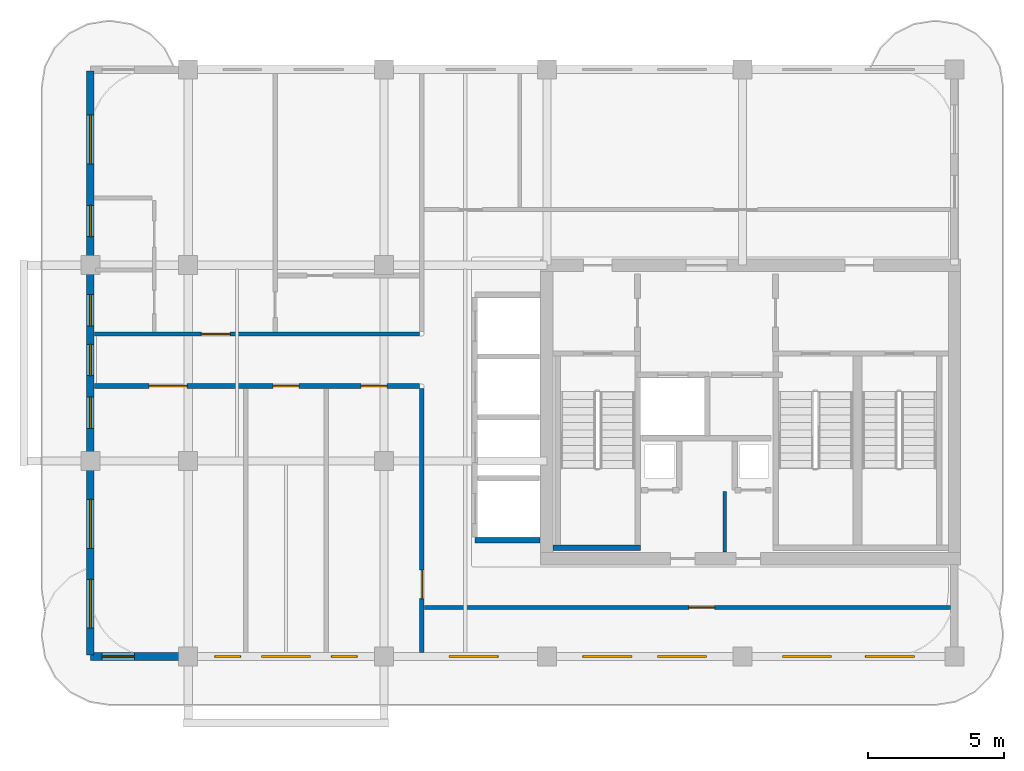
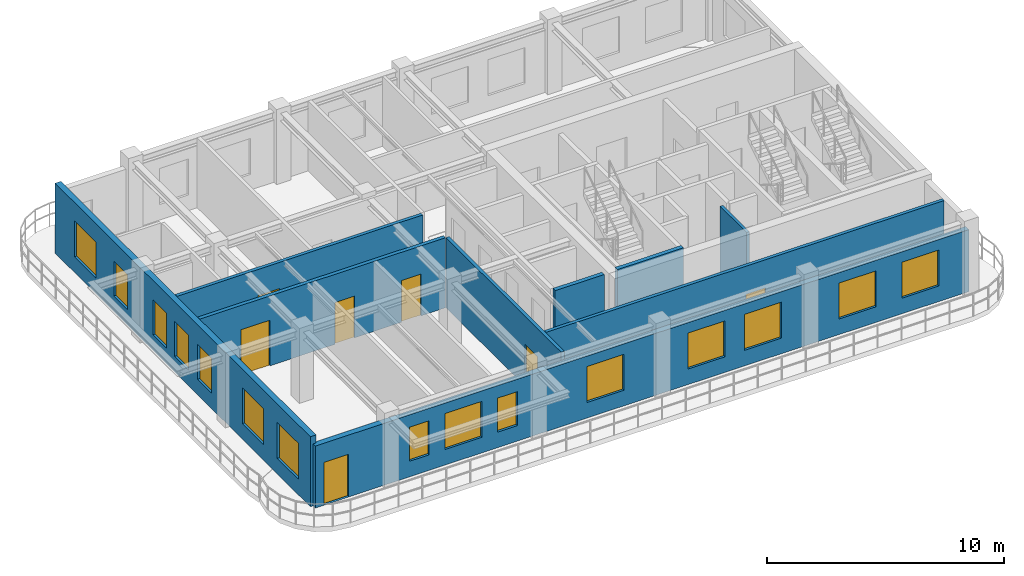
# One storey, part 2 of 7: 15 windows, 9 walls, 7 doors, 22 openings.
"""IFC4 building model written with IfcOpenShell, lengths in metres."""

from ifc_helpers import new_model, si_unit, derived_unit, direction, frame, frame_2d, origin, place, context, subcontext, project, spatial, rectangle, extrude, source, transform, mapped, material, layer, layer_set, type_object, type_shapes, element, fill, save


model = new_model("IFC4")

# Units and contexts
model_context = context("Model", 3, precision=1e-05, world=origin(), true_north=direction((0.0, 1.0)))
body_context = subcontext(model_context, "Body", "Model", "MODEL_VIEW")
ifc_project = project(units=[si_unit("LENGTHUNIT", "METRE"), si_unit("AREAUNIT", "SQUARE_METRE"), si_unit("VOLUMEUNIT", "CUBIC_METRE"), si_unit("PLANEANGLEUNIT", "RADIAN"), si_unit("MASSUNIT", "GRAM", prefix="KILO"), si_unit("THERMODYNAMICTEMPERATUREUNIT", "KELVIN"), si_unit("POWERUNIT", "WATT"), derived_unit("THERMALTRANSMITTANCEUNIT", [(si_unit("POWERUNIT", "WATT"), 1), (si_unit("AREAUNIT", "SQUARE_METRE"), -1), (si_unit("THERMODYNAMICTEMPERATUREUNIT", "KELVIN"), -1)])], contexts=[model_context])

# Site, building, storey
site_placement = place(None, origin())
site = spatial("IfcSite", under=ifc_project, at=site_placement, CompositionType="ELEMENT")
building_placement = place(site_placement, origin())
building = spatial("IfcBuilding", under=site, at=building_placement, Name="Zahravan Archway Hotel and Residences", CompositionType="ELEMENT")
storey_placement = place(building_placement, frame((0.0, 0.0, 275.050048828125)))
storey = spatial("IfcBuildingStorey", under=building, at=storey_placement, Name="L69", CompositionType="ELEMENT", Elevation=275.050048828125)

# Wall, openings, door, windows
ifc_material_1 = material(Name="Honed Red-Ochre Sandstone & Insulated Block", Category="masonry")
ifc_layer_1 = layer(ifc_material_1, 0.280029296875, Name="Honed Red-Ochre Sandstone & Insulated Block", Category="masonry")
ifc_layer_set_1 = layer_set([ifc_layer_1], Name="Honed Red-Ochre Sandstone & Insulated Block")
wall_type_1 = type_object("IfcWallType", Name="EW-LOG-280", PredefinedType="SOLIDWALL", material=ifc_layer_set_1)
wall_1_placement = place(storey_placement, frame((18.0, 0.0, 0.0), z_axis=(0.0, 0.0, 1.0), x_axis=(1.0, 0.0, 0.0)))
wall_1 = element("IfcWall", 1, at=wall_1_placement, inside=storey, type_object=wall_type_1, Name="L69 Exterior Sandstone Wall WA-S", PredefinedType="SOLIDWALL", context=body_context, shape_type="SweptSolid", body=[
    extrude(rectangle(XDim=31.800048828125, YDim=0.280029296875, at=frame_2d((15.89990234375, 0.0))), origin(), (0.0, 0.0, 1.0), 3.18505859375),
])
opening_1_placement = place(wall_1_placement, frame((0.419921875, 0.0, 0.0)))
opening_1 = element("IfcOpeningElement", 2, at=opening_1_placement, cuts=wall_1, Name="Opening ED-BL1", PredefinedType="OPENING", context=body_context, shape_type="SweptSolid", body=[
    extrude(rectangle(XDim=1.199951171875, YDim=2.199951171875, at=frame_2d((0.60009765625, 1.10009765625))), frame((0.0, 0.14990234375, 0.0), z_axis=(0.0, -1.0, 0.0), x_axis=(1.0, 0.0, 0.0)), (0.0, 0.0, 1.0), 0.300048828125),
])
opening_2_placement = place(wall_1_placement, frame((4.5810546875, 0.0, 0.800048828125)))
opening_2 = element("IfcOpeningElement", 3, at=opening_2_placement, cuts=wall_1, Name="Opening W-04", PredefinedType="OPENING", context=body_context, shape_type="SweptSolid", body=[
    extrude(rectangle(XDim=0.949951171875, YDim=1.75, at=frame_2d((0.47509765625, 0.875))), frame((0.0, 0.14990234375, 0.0), z_axis=(0.0, -1.0, 0.0), x_axis=(1.0, 0.0, 0.0)), (0.0, 0.0, 1.0), 0.300048828125),
])
opening_3_placement = place(wall_1_placement, frame((6.300048828125, 0.0, 0.800048828125)))
opening_3 = element("IfcOpeningElement", 4, at=opening_3_placement, cuts=wall_1, Name="Opening W-02", PredefinedType="OPENING", context=body_context, shape_type="SweptSolid", body=[
    extrude(rectangle(XDim=1.800048828125, YDim=1.85009765625, at=frame_2d((0.89990234375, 0.925048828125))), frame((0.0, 0.14990234375, 0.0), z_axis=(0.0, -1.0, 0.0), x_axis=(1.0, 0.0, 0.0)), (0.0, 0.0, 1.0), 0.300048828125),
])
opening_4_placement = place(wall_1_placement, frame((8.868896484375, 0.0, 0.800048828125)))
opening_4 = element("IfcOpeningElement", 5, at=opening_4_placement, cuts=wall_1, Name="Opening W-04", PredefinedType="OPENING", context=body_context, shape_type="SweptSolid", body=[
    extrude(rectangle(XDim=0.949951171875, YDim=1.75, at=frame_2d((0.47509765625, 0.875))), frame((0.0, 0.14990234375, 0.0), z_axis=(0.0, -1.0, 0.0), x_axis=(1.0, 0.0, 0.0)), (0.0, 0.0, 1.0), 0.300048828125),
])
opening_5_placement = place(wall_1_placement, frame((13.2041015625, 0.0, 0.800048828125)))
opening_5 = element("IfcOpeningElement", 6, at=opening_5_placement, cuts=wall_1, Name="Opening W-02", PredefinedType="OPENING", context=body_context, shape_type="SweptSolid", body=[
    extrude(rectangle(XDim=1.800048828125, YDim=1.85009765625, at=frame_2d((0.89990234375, 0.925048828125))), frame((0.0, 0.14990234375, 0.0), z_axis=(0.0, -1.0, 0.0), x_axis=(1.0, 0.0, 0.0)), (0.0, 0.0, 1.0), 0.300048828125),
])
opening_6_placement = place(wall_1_placement, frame((18.125, 0.0, 0.800048828125)))
opening_6 = element("IfcOpeningElement", 7, at=opening_6_placement, cuts=wall_1, Name="Opening W-02", PredefinedType="OPENING", context=body_context, shape_type="SweptSolid", body=[
    extrude(rectangle(XDim=1.800048828125, YDim=1.85009765625, at=frame_2d((0.89990234375, 0.925048828125))), frame((0.0, 0.14990234375, 0.0), z_axis=(0.0, -1.0, 0.0), x_axis=(1.0, 0.0, 0.0)), (0.0, 0.0, 1.0), 0.300048828125),
])
opening_7_placement = place(wall_1_placement, frame((20.875, 0.0, 0.800048828125)))
opening_7 = element("IfcOpeningElement", 8, at=opening_7_placement, cuts=wall_1, Name="Opening W-02", PredefinedType="OPENING", context=body_context, shape_type="SweptSolid", body=[
    extrude(rectangle(XDim=1.800048828125, YDim=1.85009765625, at=frame_2d((0.89990234375, 0.925048828125))), frame((0.0, 0.14990234375, 0.0), z_axis=(0.0, -1.0, 0.0), x_axis=(1.0, 0.0, 0.0)), (0.0, 0.0, 1.0), 0.300048828125),
])
opening_8_placement = place(wall_1_placement, frame((25.47509765625, 0.0, 0.800048828125)))
opening_8 = element("IfcOpeningElement", 9, at=opening_8_placement, cuts=wall_1, Name="Opening W-02", PredefinedType="OPENING", context=body_context, shape_type="SweptSolid", body=[
    extrude(rectangle(XDim=1.800048828125, YDim=1.85009765625, at=frame_2d((0.89990234375, 0.925048828125))), frame((0.0, 0.14990234375, 0.0), z_axis=(0.0, -1.0, 0.0), x_axis=(1.0, 0.0, 0.0)), (0.0, 0.0, 1.0), 0.300048828125),
])
opening_9_placement = place(wall_1_placement, frame((28.52490234375, 0.0, 0.800048828125)))
opening_9 = element("IfcOpeningElement", 10, at=opening_9_placement, cuts=wall_1, Name="Opening W-02", PredefinedType="OPENING", context=body_context, shape_type="SweptSolid", body=[
    extrude(rectangle(XDim=1.800048828125, YDim=1.85009765625, at=frame_2d((0.89990234375, 0.925048828125))), frame((0.0, 0.14990234375, 0.0), z_axis=(0.0, -1.0, 0.0), x_axis=(1.0, 0.0, 0.0)), (0.0, 0.0, 1.0), 0.300048828125),
])
ifc_material_2 = material(Name="Bronze-Anodized Glazed Aluminium", Category="aluminium")
door_type_1 = type_object("IfcDoorType", Name="ED-BALC-1200", OperationType="SLIDING_TO_LEFT", PredefinedType="DOOR", material=ifc_material_2)
shared_shape_1 = source(origin(), body_context, "Body", "SweptSolid", [
    extrude(rectangle(XDim=1.199951171875, YDim=2.199951171875, at=frame_2d((0.60009765625, 1.10009765625))), frame((0.0, 0.02490234375, 0.0), z_axis=(0.0, -1.0, 0.0), x_axis=(1.0, 0.0, 0.0)), (0.0, 0.0, 1.0), 0.050048828125),
])
type_shapes(door_type_1, [shared_shape_1])
door_1_placement = place(opening_1_placement, origin())
door_1 = element("IfcDoor", 11, at=door_1_placement, inside=storey, type_object=door_type_1, Name="L69 Outdoor Access Sliding Door (SLB-BAL-L69-SA)", OperationType="SLIDING_TO_LEFT", OverallHeight=2.199951171875, OverallWidth=1.199951171875, PredefinedType="DOOR", context=body_context, shape_type="MappedRepresentation", body=[
    mapped(shared_shape_1, transform((0.0, 0.0, 0.0), scale=1.0)),
])
fill(opening_1, door_1)
ifc_material_3 = material(Name="Bronze-Anodized Thermal-Break Aluminium & Low-E Glass", Category="aluminium")
window_type_1 = type_object("IfcWindowType", Name="WIN-NAR-950", PartitioningType="SINGLE_PANEL", PredefinedType="WINDOW", material=ifc_material_3)
shared_shape_2 = source(origin(), body_context, "Body", "SweptSolid", [
    extrude(rectangle(XDim=0.949951171875, YDim=1.75, at=frame_2d((0.47509765625, 0.875))), frame((0.0, 0.030029296875, 0.0), z_axis=(0.0, -1.0, 0.0), x_axis=(1.0, 0.0, 0.0)), (0.0, 0.0, 1.0), 0.06005859375),
])
type_shapes(window_type_1, [shared_shape_2])
window_1_placement = place(opening_2_placement, origin())
window_1 = element("IfcWindow", 12, at=window_1_placement, inside=storey, type_object=window_type_1, Name="L69 Loggia Window 01", OverallHeight=1.75, OverallWidth=0.949951171875, PartitioningType="SINGLE_PANEL", PredefinedType="WINDOW", context=body_context, shape_type="MappedRepresentation", body=[
    mapped(shared_shape_2, transform((0.0, 0.0, 0.0), scale=1.0)),
])
fill(opening_2, window_1)
window_2_placement = place(opening_4_placement, origin())
window_2 = element("IfcWindow", 13, at=window_2_placement, inside=storey, type_object=window_type_1, Name="L69 Loggia Window 03", OverallHeight=1.75, OverallWidth=0.949951171875, PartitioningType="SINGLE_PANEL", PredefinedType="WINDOW", context=body_context, shape_type="MappedRepresentation", body=[
    mapped(shared_shape_2, transform((0.0, 0.0, 0.0), scale=1.0)),
])
fill(opening_4, window_2)
window_type_2 = type_object("IfcWindowType", Name="WIN-TWR-1800", PartitioningType="DOUBLE_PANEL_VERTICAL", PredefinedType="WINDOW", material=ifc_material_3)
shared_shape_3 = source(origin(), body_context, "Body", "SweptSolid", [
    extrude(rectangle(XDim=1.800048828125, YDim=1.85009765625, at=frame_2d((0.89990234375, 0.925048828125))), frame((0.0, 0.030029296875, 0.0), z_axis=(0.0, -1.0, 0.0), x_axis=(1.0, 0.0, 0.0)), (0.0, 0.0, 1.0), 0.06005859375),
])
type_shapes(window_type_2, [shared_shape_3])
window_3_placement = place(opening_3_placement, origin())
window_3 = element("IfcWindow", 14, at=window_3_placement, inside=storey, type_object=window_type_2, Name="L69 Loggia Window 02", OverallHeight=1.85009765625, OverallWidth=1.800048828125, PartitioningType="DOUBLE_PANEL_VERTICAL", PredefinedType="WINDOW", context=body_context, shape_type="MappedRepresentation", body=[
    mapped(shared_shape_3, transform((0.0, 0.0, 0.0), scale=1.0)),
])
fill(opening_3, window_3)
window_4_placement = place(opening_5_placement, origin())
window_4 = element("IfcWindow", 15, at=window_4_placement, inside=storey, type_object=window_type_2, Name="L69 Loggia Window 04", OverallHeight=1.85009765625, OverallWidth=1.800048828125, PartitioningType="DOUBLE_PANEL_VERTICAL", PredefinedType="WINDOW", context=body_context, shape_type="MappedRepresentation", body=[
    mapped(shared_shape_3, transform((0.0, 0.0, 0.0), scale=1.0)),
])
fill(opening_5, window_4)
window_5_placement = place(opening_6_placement, origin())
window_5 = element("IfcWindow", 16, at=window_5_placement, inside=storey, type_object=window_type_2, Name="L69 Loggia Window 05", OverallHeight=1.85009765625, OverallWidth=1.800048828125, PartitioningType="DOUBLE_PANEL_VERTICAL", PredefinedType="WINDOW", context=body_context, shape_type="MappedRepresentation", body=[
    mapped(shared_shape_3, transform((0.0, 0.0, 0.0), scale=1.0)),
])
fill(opening_6, window_5)
window_6_placement = place(opening_7_placement, origin())
window_6 = element("IfcWindow", 17, at=window_6_placement, inside=storey, type_object=window_type_2, Name="L69 Loggia Window 06", OverallHeight=1.85009765625, OverallWidth=1.800048828125, PartitioningType="DOUBLE_PANEL_VERTICAL", PredefinedType="WINDOW", context=body_context, shape_type="MappedRepresentation", body=[
    mapped(shared_shape_3, transform((0.0, 0.0, 0.0), scale=1.0)),
])
fill(opening_7, window_6)
window_7_placement = place(opening_8_placement, origin())
window_7 = element("IfcWindow", 18, at=window_7_placement, inside=storey, type_object=window_type_2, Name="L69 Loggia Window 07", OverallHeight=1.85009765625, OverallWidth=1.800048828125, PartitioningType="DOUBLE_PANEL_VERTICAL", PredefinedType="WINDOW", context=body_context, shape_type="MappedRepresentation", body=[
    mapped(shared_shape_3, transform((0.0, 0.0, 0.0), scale=1.0)),
])
fill(opening_8, window_7)
window_8_placement = place(opening_9_placement, origin())
window_8 = element("IfcWindow", 19, at=window_8_placement, inside=storey, type_object=window_type_2, Name="L69 Loggia Window 08", OverallHeight=1.85009765625, OverallWidth=1.800048828125, PartitioningType="DOUBLE_PANEL_VERTICAL", PredefinedType="WINDOW", context=body_context, shape_type="MappedRepresentation", body=[
    mapped(shared_shape_3, transform((0.0, 0.0, 0.0), scale=1.0)),
])
fill(opening_9, window_8)

# Wall, openings, windows
wall_2_placement = place(storey_placement, frame((18.0, 0.050048828125, 0.0), z_axis=(0.0, 0.0, 1.0), x_axis=(0.0, 1.0, 0.0)))
wall_2 = element("IfcWall", 20, at=wall_2_placement, inside=storey, type_object=wall_type_1, Name="L69 Exterior Sandstone Wall WA-W", PredefinedType="SOLIDWALL", context=body_context, shape_type="SweptSolid", body=[
    extrude(rectangle(XDim=21.5, YDim=0.280029296875, at=frame_2d((10.75, 0.0))), origin(), (0.0, 0.0, 1.0), 3.599853515625),
])
opening_10_placement = place(wall_2_placement, frame((0.989990234375, 0.0, 0.800048828125)))
opening_10 = element("IfcOpeningElement", 21, at=opening_10_placement, cuts=wall_2, Name="Opening W-02", PredefinedType="OPENING", context=body_context, shape_type="SweptSolid", body=[
    extrude(rectangle(XDim=1.800048828125, YDim=1.85009765625, at=frame_2d((0.89990234375, 0.925048828125))), frame((0.0, 0.14990234375, 0.0), z_axis=(0.0, -1.0, 0.0), x_axis=(1.0, 0.0, 0.0)), (0.0, 0.0, 1.0), 0.300048828125),
])
opening_11_placement = place(wall_2_placement, frame((3.929931640625, 0.0, 0.800048828125)))
opening_11 = element("IfcOpeningElement", 22, at=opening_11_placement, cuts=wall_2, Name="Opening W-02", PredefinedType="OPENING", context=body_context, shape_type="SweptSolid", body=[
    extrude(rectangle(XDim=1.800048828125, YDim=1.85009765625, at=frame_2d((0.89990234375, 0.925048828125))), frame((0.0, 0.14990234375, 0.0), z_axis=(0.0, -1.0, 0.0), x_axis=(1.0, 0.0, 0.0)), (0.0, 0.0, 1.0), 0.300048828125),
])
opening_12_placement = place(wall_2_placement, frame((8.345947265625, 0.0, 0.800048828125)))
opening_12 = element("IfcOpeningElement", 23, at=opening_12_placement, cuts=wall_2, Name="Opening W-05", PredefinedType="OPENING", context=body_context, shape_type="SweptSolid", body=[
    extrude(rectangle(XDim=1.14990234375, YDim=1.800048828125, at=frame_2d((0.574951171875, 0.89990234375))), frame((0.0, 0.14990234375, 0.0), z_axis=(0.0, -1.0, 0.0), x_axis=(1.0, 0.0, 0.0)), (0.0, 0.0, 1.0), 0.300048828125),
])
opening_13_placement = place(wall_2_placement, frame((10.284912109375, 0.0, 0.800048828125)))
opening_13 = element("IfcOpeningElement", 24, at=opening_13_placement, cuts=wall_2, Name="Opening W-05", PredefinedType="OPENING", context=body_context, shape_type="SweptSolid", body=[
    extrude(rectangle(XDim=1.14990234375, YDim=1.800048828125, at=frame_2d((0.574951171875, 0.89990234375))), frame((0.0, 0.14990234375, 0.0), z_axis=(0.0, -1.0, 0.0), x_axis=(1.0, 0.0, 0.0)), (0.0, 0.0, 1.0), 0.300048828125),
])
opening_14_placement = place(wall_2_placement, frame((12.114013671875, 0.0, 0.800048828125)))
opening_14 = element("IfcOpeningElement", 25, at=opening_14_placement, cuts=wall_2, Name="Opening W-05", PredefinedType="OPENING", context=body_context, shape_type="SweptSolid", body=[
    extrude(rectangle(XDim=1.14990234375, YDim=1.800048828125, at=frame_2d((0.574951171875, 0.89990234375))), frame((0.0, 0.14990234375, 0.0), z_axis=(0.0, -1.0, 0.0), x_axis=(1.0, 0.0, 0.0)), (0.0, 0.0, 1.0), 0.300048828125),
])
opening_15_placement = place(wall_2_placement, frame((15.406005859375, 0.0, 0.800048828125)))
opening_15 = element("IfcOpeningElement", 26, at=opening_15_placement, cuts=wall_2, Name="Opening W-05", PredefinedType="OPENING", context=body_context, shape_type="SweptSolid", body=[
    extrude(rectangle(XDim=1.14990234375, YDim=1.800048828125, at=frame_2d((0.574951171875, 0.89990234375))), frame((0.0, 0.14990234375, 0.0), z_axis=(0.0, -1.0, 0.0), x_axis=(1.0, 0.0, 0.0)), (0.0, 0.0, 1.0), 0.300048828125),
])
opening_16_placement = place(wall_2_placement, frame((18.0791015625, 0.0, 0.800048828125)))
opening_16 = element("IfcOpeningElement", 27, at=opening_16_placement, cuts=wall_2, Name="Opening W-02", PredefinedType="OPENING", context=body_context, shape_type="SweptSolid", body=[
    extrude(rectangle(XDim=1.800048828125, YDim=1.85009765625, at=frame_2d((0.89990234375, 0.925048828125))), frame((0.0, 0.14990234375, 0.0), z_axis=(0.0, -1.0, 0.0), x_axis=(1.0, 0.0, 0.0)), (0.0, 0.0, 1.0), 0.300048828125),
])
window_9_placement = place(opening_10_placement, origin())
window_9 = element("IfcWindow", 28, at=window_9_placement, inside=storey, type_object=window_type_2, Name="L69 Loggia Window 17", OverallHeight=1.85009765625, OverallWidth=1.800048828125, PartitioningType="DOUBLE_PANEL_VERTICAL", PredefinedType="WINDOW", context=body_context, shape_type="MappedRepresentation", body=[
    mapped(shared_shape_3, transform((0.0, 0.0, 0.0), scale=1.0)),
])
fill(opening_10, window_9)
window_10_placement = place(opening_11_placement, origin())
window_10 = element("IfcWindow", 29, at=window_10_placement, inside=storey, type_object=window_type_2, Name="L69 Loggia Window 18", OverallHeight=1.85009765625, OverallWidth=1.800048828125, PartitioningType="DOUBLE_PANEL_VERTICAL", PredefinedType="WINDOW", context=body_context, shape_type="MappedRepresentation", body=[
    mapped(shared_shape_3, transform((0.0, 0.0, 0.0), scale=1.0)),
])
fill(opening_11, window_10)
window_11_placement = place(opening_16_placement, origin())
window_11 = element("IfcWindow", 30, at=window_11_placement, inside=storey, type_object=window_type_2, Name="L69 Loggia Window 23", OverallHeight=1.85009765625, OverallWidth=1.800048828125, PartitioningType="DOUBLE_PANEL_VERTICAL", PredefinedType="WINDOW", context=body_context, shape_type="MappedRepresentation", body=[
    mapped(shared_shape_3, transform((0.0, 0.0, 0.0), scale=1.0)),
])
fill(opening_16, window_11)
window_type_3 = type_object("IfcWindowType", Name="WIN-TWR-1150", PartitioningType="SINGLE_PANEL", PredefinedType="WINDOW", material=ifc_material_3)
shared_shape_4 = source(origin(), body_context, "Body", "SweptSolid", [
    extrude(rectangle(XDim=1.14990234375, YDim=1.800048828125, at=frame_2d((0.574951171875, 0.89990234375))), frame((0.0, 0.030029296875, 0.0), z_axis=(0.0, -1.0, 0.0), x_axis=(1.0, 0.0, 0.0)), (0.0, 0.0, 1.0), 0.06005859375),
])
type_shapes(window_type_3, [shared_shape_4])
window_12_placement = place(opening_12_placement, origin())
window_12 = element("IfcWindow", 31, at=window_12_placement, inside=storey, type_object=window_type_3, Name="L69 Loggia Window 19", OverallHeight=1.800048828125, OverallWidth=1.14990234375, PartitioningType="SINGLE_PANEL", PredefinedType="WINDOW", context=body_context, shape_type="MappedRepresentation", body=[
    mapped(shared_shape_4, transform((0.0, 0.0, 0.0), scale=1.0)),
])
fill(opening_12, window_12)
window_13_placement = place(opening_13_placement, origin())
window_13 = element("IfcWindow", 32, at=window_13_placement, inside=storey, type_object=window_type_3, Name="L69 Loggia Window 20", OverallHeight=1.800048828125, OverallWidth=1.14990234375, PartitioningType="SINGLE_PANEL", PredefinedType="WINDOW", context=body_context, shape_type="MappedRepresentation", body=[
    mapped(shared_shape_4, transform((0.0, 0.0, 0.0), scale=1.0)),
])
fill(opening_13, window_13)
window_14_placement = place(opening_14_placement, origin())
window_14 = element("IfcWindow", 33, at=window_14_placement, inside=storey, type_object=window_type_3, Name="L69 Loggia Window 21", OverallHeight=1.800048828125, OverallWidth=1.14990234375, PartitioningType="SINGLE_PANEL", PredefinedType="WINDOW", context=body_context, shape_type="MappedRepresentation", body=[
    mapped(shared_shape_4, transform((0.0, 0.0, 0.0), scale=1.0)),
])
fill(opening_14, window_14)
window_15_placement = place(opening_15_placement, origin())
window_15 = element("IfcWindow", 34, at=window_15_placement, inside=storey, type_object=window_type_3, Name="L69 Loggia Window 22", OverallHeight=1.800048828125, OverallWidth=1.14990234375, PartitioningType="SINGLE_PANEL", PredefinedType="WINDOW", context=body_context, shape_type="MappedRepresentation", body=[
    mapped(shared_shape_4, transform((0.0, 0.0, 0.0), scale=1.0)),
])
fill(opening_15, window_15)

# Wall, opening, door
ifc_material_4 = material(Name="Fire-Rated Gypsum & Concrete Block", Category="concrete")
ifc_layer_2 = layer(ifc_material_4, 0.159912109375, Name="Fire-Rated Gypsum & Concrete Block", Category="concrete")
ifc_layer_set_2 = layer_set([ifc_layer_2], Name="Fire-Rated Gypsum & Concrete Block")
wall_type_2 = type_object("IfcWallType", Name="PW-CORR-160", PredefinedType="PARTITIONING", material=ifc_layer_set_2)
wall_3_placement = place(storey_placement, frame((18.14794921875, 11.8701171875, 0.0), z_axis=(0.0, 0.0, 1.0), x_axis=(1.0, 0.0, 0.0)))
wall_3 = element("IfcWall", 35, at=wall_3_placement, inside=storey, type_object=wall_type_2, Name="L69 Partition WA-CN", PredefinedType="PARTITIONING", context=body_context, shape_type="SweptSolid", body=[
    extrude(rectangle(XDim=11.962158203125, YDim=0.159912109375, at=frame_2d((5.98095703125, 0.0))), origin(), (0.0, 0.0, 1.0), 3.599853515625),
])
opening_17_placement = place(wall_3_placement, frame((3.94189453125, 0.0, 0.0)))
opening_17 = element("IfcOpeningElement", 36, at=opening_17_placement, cuts=wall_3, Name="Opening D-U1", PredefinedType="OPENING", context=body_context, shape_type="SweptSolid", body=[
    extrude(rectangle(XDim=1.050048828125, YDim=2.25, at=frame_2d((0.52490234375, 1.125))), frame((0.0, 0.08984375, 0.0), z_axis=(0.0, -1.0, 0.0), x_axis=(1.0, 0.0, 0.0)), (0.0, 0.0, 1.0), 0.179931640625),
])
ifc_material_5 = material(Name="Hardwood Veneer Timber", Category="wood")
door_type_2 = type_object("IfcDoorType", Name="ID-UNIT-1050", OperationType="NOTDEFINED", PredefinedType="DOOR", material=ifc_material_5)
shared_shape_5 = source(origin(), body_context, "Body", "SweptSolid", [
    extrude(rectangle(XDim=1.050048828125, YDim=2.25, at=frame_2d((0.52490234375, 1.125))), frame((0.0, 0.02490234375, 0.0), z_axis=(0.0, -1.0, 0.0), x_axis=(1.0, 0.0, 0.0)), (0.0, 0.0, 1.0), 0.050048828125),
])
type_shapes(door_type_2, [shared_shape_5])
door_2_placement = place(opening_17_placement, origin())
door_2 = element("IfcDoor", 37, at=door_2_placement, inside=storey, type_object=door_type_2, Name="L69 Flat N1 Entrance Door", OperationType="SINGLE_SWING_RIGHT", OverallHeight=2.25, OverallWidth=1.050048828125, PredefinedType="DOOR", context=body_context, shape_type="MappedRepresentation", body=[
    mapped(shared_shape_5, transform((0.0, 0.0, 0.0), scale=1.0)),
])
fill(opening_17, door_2)

wall_4_placement = place(storey_placement, frame((30.199951171875, 0.14794921875, 0.0), z_axis=(0.0, 0.0, 1.0), x_axis=(0.0, 1.0, 0.0)))
wall_4 = element("IfcWall", 38, at=wall_4_placement, inside=storey, type_object=wall_type_2, Name="L69 Partition WA-SRW", PredefinedType="PARTITIONING", context=body_context, shape_type="SweptSolid", body=[
    extrude(rectangle(XDim=9.712158203125, YDim=0.159912109375, at=frame_2d((4.85595703125, 0.0))), origin(), (0.0, 0.0, 1.0), 3.599853515625),
])
opening_18_placement = place(wall_4_placement, frame((1.97705078125, 0.0, 0.0)))
opening_18 = element("IfcOpeningElement", 39, at=opening_18_placement, cuts=wall_4, Name="Opening FD-L2", PredefinedType="OPENING", context=body_context, shape_type="SweptSolid", body=[
    extrude(rectangle(XDim=1.050048828125, YDim=2.14990234375, at=frame_2d((0.52490234375, 1.074951171875))), frame((0.0, 0.08984375, 0.0), z_axis=(0.0, -1.0, 0.0), x_axis=(1.0, 0.0, 0.0)), (0.0, 0.0, 1.0), 0.179931640625),
])
ifc_material_6 = material(Name="Fire-Rated Painted Steel", Category="steel")
door_type_3 = type_object("IfcDoorType", Name="FD-LOBBY-1100", OperationType="NOTDEFINED", PredefinedType="DOOR", material=ifc_material_6)
shared_shape_6 = source(origin(), body_context, "Body", "SweptSolid", [
    extrude(rectangle(XDim=1.050048828125, YDim=2.14990234375, at=frame_2d((0.52490234375, 1.074951171875))), frame((0.0, 0.02490234375, 0.0), z_axis=(0.0, -1.0, 0.0), x_axis=(1.0, 0.0, 0.0)), (0.0, 0.0, 1.0), 0.050048828125),
])
type_shapes(door_type_3, [shared_shape_6])
door_3_placement = place(opening_18_placement, origin())
door_3 = element("IfcDoor", 40, at=door_3_placement, inside=storey, type_object=door_type_3, Name="L69 South Riser Corridor Door", OperationType="SINGLE_SWING_LEFT", OverallHeight=2.14990234375, OverallWidth=1.050048828125, PredefinedType="DOOR", context=body_context, shape_type="MappedRepresentation", body=[
    mapped(shared_shape_6, transform((0.0, 0.0, 0.0), scale=1.0)),
])
fill(opening_18, door_3)

wall_5_placement = place(storey_placement, frame((30.2900390625, 1.800048828125, 0.0), z_axis=(0.0, 0.0, 1.0), x_axis=(1.0, 0.0, 0.0)))
wall_5 = element("IfcWall", 41, at=wall_5_placement, inside=storey, type_object=wall_type_2, Name="L69 Partition WA-SRS", PredefinedType="PARTITIONING", context=body_context, shape_type="SweptSolid", body=[
    extrude(rectangle(XDim=19.369873046875, YDim=0.159912109375, at=frame_2d((9.68505859375, 0.0))), origin(), (0.0, 0.0, 1.0), 3.599853515625),
])
opening_19_placement = place(wall_5_placement, frame((9.735107421875, 0.0, 0.0)))
opening_19 = element("IfcOpeningElement", 42, at=opening_19_placement, cuts=wall_5, Name="Opening D-I1", PredefinedType="OPENING", context=body_context, shape_type="SweptSolid", body=[
    extrude(rectangle(XDim=0.949951171875, YDim=2.14990234375, at=frame_2d((0.47509765625, 1.074951171875))), frame((0.0, 0.08984375, 0.0), z_axis=(0.0, -1.0, 0.0), x_axis=(1.0, 0.0, 0.0)), (0.0, 0.0, 1.0), 0.179931640625),
])
door_type_4 = type_object("IfcDoorType", Name="ID-INT-950", OperationType="NOTDEFINED", PredefinedType="DOOR", material=ifc_material_5)
shared_shape_7 = source(origin(), body_context, "Body", "SweptSolid", [
    extrude(rectangle(XDim=0.949951171875, YDim=2.14990234375, at=frame_2d((0.47509765625, 1.074951171875))), frame((0.0, 0.02490234375, 0.0), z_axis=(0.0, -1.0, 0.0), x_axis=(1.0, 0.0, 0.0)), (0.0, 0.0, 1.0), 0.050048828125),
])
type_shapes(door_type_4, [shared_shape_7])
door_4_placement = place(opening_19_placement, origin())
door_4 = element("IfcDoor", 43, at=door_4_placement, inside=storey, type_object=door_type_4, Name="L69 South Viewing Lounge Door", OperationType="SINGLE_SWING_RIGHT", OverallHeight=2.14990234375, OverallWidth=0.949951171875, PredefinedType="DOOR", context=body_context, shape_type="MappedRepresentation", body=[
    mapped(shared_shape_7, transform((0.0, 0.0, 0.0), scale=1.0)),
])
fill(opening_19, door_4)

# Wall, openings, doors
ifc_layer_3 = layer(ifc_material_4, 0.179931640625, Name="Fire-Rated Gypsum & Concrete Block", Category="concrete")
ifc_layer_set_3 = layer_set([ifc_layer_3], Name="Fire-Rated Gypsum & Concrete Block")
wall_type_3 = type_object("IfcWallType", Name="PW-CORR-180", PredefinedType="PARTITIONING", material=ifc_layer_set_3)
wall_6_placement = place(storey_placement, frame((18.14794921875, 9.949951171875, 0.0), z_axis=(0.0, 0.0, 1.0), x_axis=(1.0, 0.0, 0.0)))
wall_6 = element("IfcWall", 44, at=wall_6_placement, inside=storey, type_object=wall_type_3, Name="L69 Partition WA-CS", PredefinedType="PARTITIONING", context=body_context, shape_type="SweptSolid", body=[
    extrude(rectangle(XDim=11.962158203125, YDim=0.179931640625, at=frame_2d((5.98095703125, 0.0))), origin(), (0.0, 0.0, 1.0), 3.599853515625),
])
opening_20_placement = place(wall_6_placement, frame((2.011962890625, 0.0, 0.0)))
opening_20 = element("IfcOpeningElement", 45, at=opening_20_placement, cuts=wall_6, Name="Opening D-P1", PredefinedType="OPENING", context=body_context, shape_type="SweptSolid", body=[
    extrude(rectangle(XDim=1.39990234375, YDim=2.35009765625, at=frame_2d((0.699951171875, 1.175048828125))), frame((0.0, 0.10009765625, 0.0), z_axis=(0.0, -1.0, 0.0), x_axis=(1.0, 0.0, 0.0)), (0.0, 0.0, 1.0), 0.199951171875),
])
opening_21_placement = place(wall_6_placement, frame((6.576904296875, 0.0, 0.0)))
opening_21 = element("IfcOpeningElement", 46, at=opening_21_placement, cuts=wall_6, Name="Opening D-I1", PredefinedType="OPENING", context=body_context, shape_type="SweptSolid", body=[
    extrude(rectangle(XDim=0.949951171875, YDim=2.14990234375, at=frame_2d((0.47509765625, 1.074951171875))), frame((0.0, 0.10009765625, 0.0), z_axis=(0.0, -1.0, 0.0), x_axis=(1.0, 0.0, 0.0)), (0.0, 0.0, 1.0), 0.199951171875),
])
opening_22_placement = place(wall_6_placement, frame((9.81689453125, 0.0, 0.0)))
opening_22 = element("IfcOpeningElement", 47, at=opening_22_placement, cuts=wall_6, Name="Opening D-I1", PredefinedType="OPENING", context=body_context, shape_type="SweptSolid", body=[
    extrude(rectangle(XDim=0.949951171875, YDim=2.14990234375, at=frame_2d((0.47509765625, 1.074951171875))), frame((0.0, 0.10009765625, 0.0), z_axis=(0.0, -1.0, 0.0), x_axis=(1.0, 0.0, 0.0)), (0.0, 0.0, 1.0), 0.199951171875),
])
door_type_5 = type_object("IfcDoorType", Name="ID-PUBLIC-1400", OperationType="DOUBLE_DOOR_SINGLE_SWING", PredefinedType="DOOR", material=ifc_material_2)
shared_shape_8 = source(origin(), body_context, "Body", "SweptSolid", [
    extrude(rectangle(XDim=1.39990234375, YDim=2.35009765625, at=frame_2d((0.699951171875, 1.175048828125))), frame((0.0, 0.02490234375, 0.0), z_axis=(0.0, -1.0, 0.0), x_axis=(1.0, 0.0, 0.0)), (0.0, 0.0, 1.0), 0.050048828125),
])
type_shapes(door_type_5, [shared_shape_8])
door_5_placement = place(opening_20_placement, origin())
door_5 = element("IfcDoor", 48, at=door_5_placement, inside=storey, type_object=door_type_5, Name="L69 Cinema Salon Door", OperationType="DOUBLE_DOOR_SINGLE_SWING", OverallHeight=2.35009765625, OverallWidth=1.39990234375, PredefinedType="DOOR", context=body_context, shape_type="MappedRepresentation", body=[
    mapped(shared_shape_8, transform((0.0, 0.0, 0.0), scale=1.0)),
])
fill(opening_20, door_5)
door_6_placement = place(opening_21_placement, origin())
door_6 = element("IfcDoor", 49, at=door_6_placement, inside=storey, type_object=door_type_4, Name="L69 Boardroom Door", OperationType="SINGLE_SWING_RIGHT", OverallHeight=2.14990234375, OverallWidth=0.949951171875, PredefinedType="DOOR", context=body_context, shape_type="MappedRepresentation", body=[
    mapped(shared_shape_7, transform((0.0, 0.0, 0.0), scale=1.0)),
])
fill(opening_21, door_6)
door_7_placement = place(opening_22_placement, origin())
door_7 = element("IfcDoor", 50, at=door_7_placement, inside=storey, type_object=door_type_4, Name="L69 Study Office Door", OperationType="SINGLE_SWING_LEFT", OverallHeight=2.14990234375, OverallWidth=0.949951171875, PredefinedType="DOOR", context=body_context, shape_type="MappedRepresentation", body=[
    mapped(shared_shape_7, transform((0.0, 0.0, 0.0), scale=1.0)),
])
fill(opening_22, door_7)

# Walls
ifc_layer_4 = layer(ifc_material_4, 0.199951171875, Name="Fire-Rated Gypsum & Concrete Block", Category="concrete")
ifc_layer_set_4 = layer_set([ifc_layer_4], Name="Fire-Rated Gypsum & Concrete Block")
wall_type_4 = type_object("IfcWallType", Name="PW-SHAFT-200", PredefinedType="PARTITIONING", material=ifc_layer_set_4)
wall_7_placement = place(storey_placement, frame((32.159912109375, 4.280029296875, 0.0), z_axis=(0.0, 0.0, 1.0), x_axis=(1.0, 0.0, 0.0)))
element("IfcWall", 51, at=wall_7_placement, inside=storey, type_object=wall_type_4, Name="L69 Partition B3-S", PredefinedType="PARTITIONING", context=body_context, shape_type="SweptSolid", body=[
    extrude(rectangle(XDim=2.385009765625, YDim=0.199951171875, at=frame_2d((1.1923828125, 0.0))), origin(), (0.0, 0.0, 1.0), 3.599853515625),
])
ifc_material_7 = material(Name="Moisture-Resistant Blockwork", Category="masonry")
ifc_layer_5 = layer(ifc_material_7, 0.139892578125, Name="Moisture-Resistant Blockwork", Category="masonry")
ifc_layer_set_5 = layer_set([ifc_layer_5], Name="Moisture-Resistant Blockwork")
wall_type_5 = type_object("IfcWallType", Name="PW-WET-140", PredefinedType="PARTITIONING", material=ifc_layer_set_5)
wall_8_placement = place(storey_placement, frame((41.35009765625, 3.844970703125, 0.0), z_axis=(0.0, 0.0, 1.0), x_axis=(0.0, 1.0, 0.0)))
element("IfcWall", 52, at=wall_8_placement, inside=storey, type_object=wall_type_5, Name="L69 Partition CA-CV3", PredefinedType="PARTITIONING", context=body_context, shape_type="SweptSolid", body=[
    extrude(rectangle(XDim=2.235107421875, YDim=0.139892578125, at=frame_2d((1.11767578125, 0.0))), origin(), (0.0, 0.0, 1.0), 3.599853515625),
])
ifc_material_8 = material(Name="Concrete C50/60", Category="concrete")
ifc_layer_6 = layer(ifc_material_8, 0.199951171875, Name="Concrete C50/60", Category="concrete")
ifc_layer_set_6 = layer_set([ifc_layer_6], Name="Concrete C50/60")
wall_type_6 = type_object("IfcWallType", Name="SW-STAIR-200", PredefinedType="SHEAR", material=ifc_layer_set_6)
wall_9_placement = place(storey_placement, frame((35.02490234375, 4.0, 0.0), z_axis=(0.0, 0.0, 1.0), x_axis=(1.0, 0.0, 0.0)))
element("IfcWall", 53, at=wall_9_placement, inside=storey, type_object=wall_type_6, Name="L69 Stairwell RC Wall CA-SA1S", PredefinedType="SHEAR", context=body_context, shape_type="SweptSolid", body=[
    extrude(rectangle(XDim=3.215087890625, YDim=0.199951171875, at=frame_2d((1.607421875, 0.0))), origin(), (0.0, 0.0, 1.0), 3.849853515625),
])

save(model, "model.ifc")
